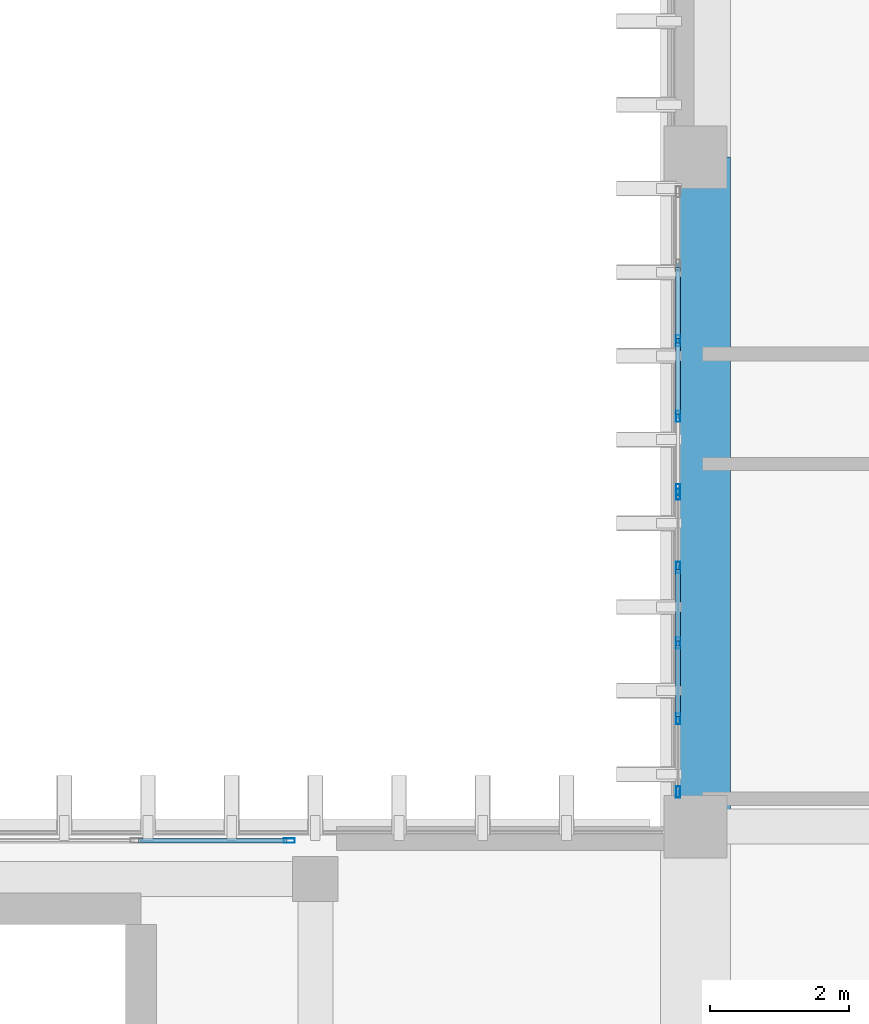
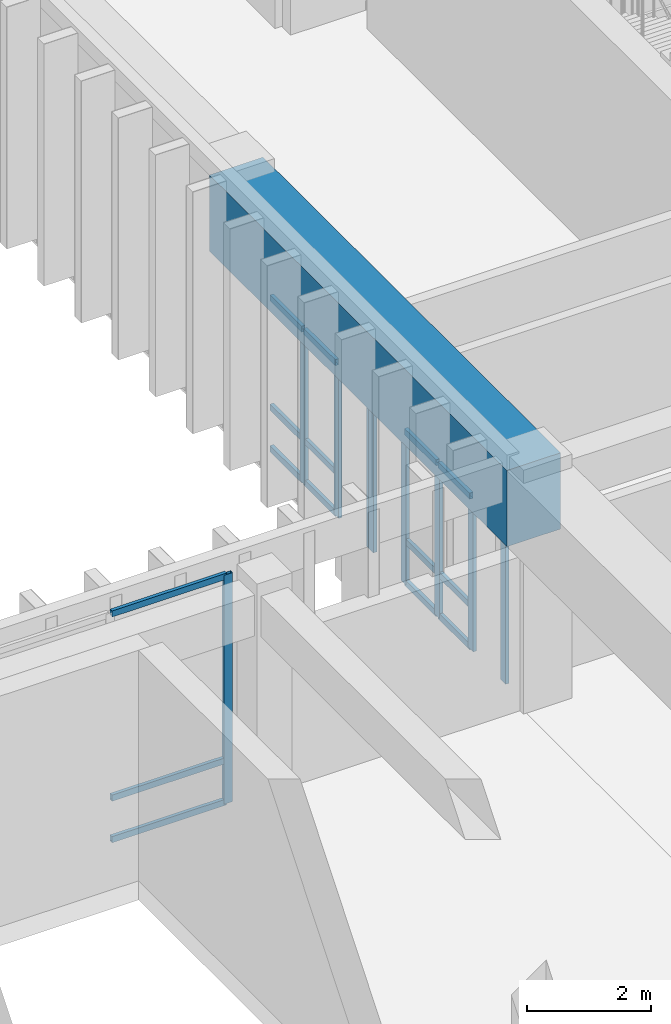
# One storey, part 51 of 101: 24 members, 1 beam, 3 elements without a shape of their own.
"""IFC4 building model written with IfcOpenShell, lengths in metres."""

from ifc_helpers import new_model, si_unit, direction, frame, origin, origin_2d, place, context, subcontext, project, spatial, rectangle, hollow_rectangle, extrude, material, layer, layer_set, material_profile, profile_set, type_object, element, aggregate, save


model = new_model("IFC4")

# Units and contexts
model_context = context("Model", 3, precision=1e-05, world=origin(), true_north=direction((0.0, 1.0)))
body_context = subcontext(model_context, "Body", "Model", "MODEL_VIEW")
ifc_project = project(units=[si_unit("LENGTHUNIT", "METRE"), si_unit("AREAUNIT", "SQUARE_METRE"), si_unit("VOLUMEUNIT", "CUBIC_METRE"), si_unit("PLANEANGLEUNIT", "RADIAN"), si_unit("MASSUNIT", "GRAM", prefix="KILO")], contexts=[model_context])

# Site, building, storey
site_placement = place(None, origin())
site = spatial("IfcSite", under=ifc_project, at=site_placement, CompositionType="ELEMENT")
building_placement = place(site_placement, origin())
building = spatial("IfcBuilding", under=site, at=building_placement, Name="Nakhvara Creek Congress Hotel", CompositionType="ELEMENT")
storey_placement = place(building_placement, frame((0.0, 0.0, 16.199951171875)))
storey = spatial("IfcBuildingStorey", under=building, at=storey_placement, Name="L03", CompositionType="ELEMENT", Elevation=16.199951171875)

# Beam
ifc_material_1 = material(Name="Concrete C50/60", Category="concrete")
ifc_material_profile_1 = material_profile(ifc_material_1, rectangle(XDim=1.0, YDim=1.5, at=origin_2d()), Name="RC-TG 1000x1500", Category="LoadBearing")
ifc_profile_set_1 = profile_set([ifc_material_profile_1], Name="Concrete C50/60")
beam_type = type_object("IfcBeamType", Name="BM-TG2-1500", PredefinedType="BEAM", material=ifc_profile_set_1)
beam_placement = place(storey_placement, frame((149.449951171875, 96.0, 3.7900390625), z_axis=(0.0, 1.0, 0.0), x_axis=(-1.0, 0.0, 0.0)))
element("IfcBeam", 1, at=beam_placement, inside=storey, type_object=beam_type, Name="Transfer Girder TG2-L03-1838", PredefinedType="BEAM", context=body_context, shape_type="SweptSolid", body=[
    extrude(rectangle(XDim=1.0, YDim=1.5, at=origin_2d()), origin(), (0.0, 0.0, 1.0), 9.60009765625),
])

# Curtain wall, member
ifc_material_2 = material(Name="Bronze-anodised aluminium AW-6063-T6 and double-silver low-E glass", Category="aluminium")
ifc_layer_1 = layer(ifc_material_2, 0.199951171875)
ifc_layer_set_1 = layer_set([ifc_layer_1], Name="Bronze-anodised aluminium AW-6063-T6 and double-silver low-E glass")
curtain_wall_type_1 = type_object("IfcCurtainWallType", Name="CW-POD-STICK", PredefinedType="NOTDEFINED", material=ifc_layer_set_1)
curtain_wall_1_placement = place(storey_placement, origin())
curtain_wall_1 = element("IfcCurtainWall", 2, at=curtain_wall_1_placement, inside=storey, type_object=curtain_wall_type_1, Name="Curtain Wall CW105", PredefinedType="NOTDEFINED")
ifc_material_3 = material(Name="Bronze-anodised aluminium AW-6063-T6", Category="aluminium")
ifc_material_profile_2 = material_profile(ifc_material_3, hollow_rectangle(XDim=0.06494140625, YDim=0.159912109375, WallThickness=0.00390625, at=origin_2d()), Name="ALU-MULL 65x160x4", Category="LoadBearing")
ifc_profile_set_2 = profile_set([ifc_material_profile_2], Name="Bronze-anodised aluminium AW-6063-T6")
member_type_1 = type_object("IfcMemberType", Name="CW-MULL-160", PredefinedType="MULLION", material=ifc_profile_set_2)
member_1_placement = place(storey_placement, frame((143.62744140625, 95.800048828125, 0.0), z_axis=(0.0, 0.0, 1.0), x_axis=(0.0, 1.0, 0.0)))
member_1 = element("IfcMember", 3, at=member_1_placement, type_object=member_type_1, Name="CW105 mullion 5", PredefinedType="MULLION", context=body_context, shape_type="SweptSolid", body=[
    extrude(hollow_rectangle(XDim=0.06494140625, YDim=0.159912109375, WallThickness=0.00390625, at=origin_2d()), origin(), (0.0, 0.0, 1.0), 4.510009765625),
])

# Curtain wall, members
ifc_layer_2 = layer(ifc_material_2, 0.199951171875)
ifc_layer_set_2 = layer_set([ifc_layer_2], Name="Bronze-anodised aluminium AW-6063-T6 and double-silver low-E glass")
curtain_wall_type_2 = type_object("IfcCurtainWallType", Name="CW-HTL-UNIT", PredefinedType="USERDEFINED", material=ifc_layer_set_2)
curtain_wall_2_placement = place(storey_placement, origin())
curtain_wall_2 = element("IfcCurtainWall", 4, at=curtain_wall_2_placement, inside=storey, type_object=curtain_wall_type_2, Name="Curtain Wall CW164", ObjectType="UNITISED", PredefinedType="USERDEFINED")
member_2_placement = place(storey_placement, frame((149.199951171875, 96.49755859375, 0.0), z_axis=(0.0, 0.0, 1.0), x_axis=(-1.0, 0.0, 0.0)))
member_2 = element("IfcMember", 5, at=member_2_placement, type_object=member_type_1, Name="CW164 mullion 1", PredefinedType="MULLION", context=body_context, shape_type="SweptSolid", body=[
    extrude(hollow_rectangle(XDim=0.06494140625, YDim=0.159912109375, WallThickness=0.00390625, at=origin_2d()), origin(), (0.0, 0.0, 1.0), 3.031982421875),
])
member_3_placement = place(storey_placement, frame((149.199951171875, 97.548828125, 0.0), z_axis=(0.0, 0.0, 1.0), x_axis=(-1.0, 0.0, 0.0)))
member_3 = element("IfcMember", 6, at=member_3_placement, type_object=member_type_1, Name="CW164 mullion 2", PredefinedType="MULLION", context=body_context, shape_type="SweptSolid", body=[
    extrude(hollow_rectangle(XDim=0.06494140625, YDim=0.159912109375, WallThickness=0.00390625, at=origin_2d()), origin(), (0.0, 0.0, 1.0), 3.031982421875),
])
member_4_placement = place(storey_placement, frame((149.199951171875, 98.632568359375, 0.0), z_axis=(0.0, 0.0, 1.0), x_axis=(-1.0, 0.0, 0.0)))
member_4 = element("IfcMember", 7, at=member_4_placement, type_object=member_type_1, Name="CW164 mullion 3", PredefinedType="MULLION", context=body_context, shape_type="SweptSolid", body=[
    extrude(hollow_rectangle(XDim=0.06494140625, YDim=0.159912109375, WallThickness=0.00390625, at=origin_2d()), origin(), (0.0, 0.0, 1.0), 3.031982421875),
])
member_5_placement = place(storey_placement, frame((149.199951171875, 99.71630859375, 0.0), z_axis=(0.0, 0.0, 1.0), x_axis=(-1.0, 0.0, 0.0)))
member_5 = element("IfcMember", 8, at=member_5_placement, type_object=member_type_1, Name="CW164 mullion 4", PredefinedType="MULLION", context=body_context, shape_type="SweptSolid", body=[
    extrude(hollow_rectangle(XDim=0.06494140625, YDim=0.159912109375, WallThickness=0.00390625, at=origin_2d()), origin(), (0.0, 0.0, 1.0), 3.031982421875),
])
member_6_placement = place(storey_placement, frame((149.199951171875, 100.767578125, 0.0), z_axis=(0.0, 0.0, 1.0), x_axis=(-1.0, 0.0, 0.0)))
member_6 = element("IfcMember", 9, at=member_6_placement, type_object=member_type_1, Name="CW164 mullion 5", PredefinedType="MULLION", context=body_context, shape_type="SweptSolid", body=[
    extrude(hollow_rectangle(XDim=0.06494140625, YDim=0.159912109375, WallThickness=0.00390625, at=origin_2d()), origin(), (0.0, 0.0, 1.0), 3.031982421875),
])

curtain_wall_3_placement = place(storey_placement, origin())
curtain_wall_3 = element("IfcCurtainWall", 10, at=curtain_wall_3_placement, inside=storey, type_object=curtain_wall_type_2, Name="Curtain Wall CW166", ObjectType="UNITISED", PredefinedType="USERDEFINED")
member_7_placement = place(storey_placement, frame((149.199951171875, 100.83251953125, 0.0), z_axis=(0.0, 0.0, 1.0), x_axis=(-1.0, 0.0, 0.0)))
member_7 = element("IfcMember", 11, at=member_7_placement, type_object=member_type_1, Name="CW166 mullion 1", PredefinedType="MULLION", context=body_context, shape_type="SweptSolid", body=[
    extrude(hollow_rectangle(XDim=0.06494140625, YDim=0.159912109375, WallThickness=0.00390625, at=origin_2d()), origin(), (0.0, 0.0, 1.0), 3.031982421875),
])
member_8_placement = place(storey_placement, frame((149.199951171875, 101.8837890625, 0.0), z_axis=(0.0, 0.0, 1.0), x_axis=(-1.0, 0.0, 0.0)))
member_8 = element("IfcMember", 12, at=member_8_placement, type_object=member_type_1, Name="CW166 mullion 2", PredefinedType="MULLION", context=body_context, shape_type="SweptSolid", body=[
    extrude(hollow_rectangle(XDim=0.06494140625, YDim=0.159912109375, WallThickness=0.00390625, at=origin_2d()), origin(), (0.0, 0.0, 1.0), 3.031982421875),
])
member_9_placement = place(storey_placement, frame((149.199951171875, 102.967529296875, 0.0), z_axis=(0.0, 0.0, 1.0), x_axis=(-1.0, 0.0, 0.0)))
member_9 = element("IfcMember", 13, at=member_9_placement, type_object=member_type_1, Name="CW166 mullion 3", PredefinedType="MULLION", context=body_context, shape_type="SweptSolid", body=[
    extrude(hollow_rectangle(XDim=0.06494140625, YDim=0.159912109375, WallThickness=0.00390625, at=origin_2d()), origin(), (0.0, 0.0, 1.0), 3.031982421875),
])

# Member
ifc_material_profile_3 = material_profile(ifc_material_3, hollow_rectangle(XDim=0.06494140625, YDim=0.1201171875, WallThickness=0.00390625, at=origin_2d()), Name="ALU-TRAN 65x120x4", Category="LoadBearing")
ifc_profile_set_3 = profile_set([ifc_material_profile_3], Name="Bronze-anodised aluminium AW-6063-T6")
member_type_2 = type_object("IfcMemberType", Name="CW-TRAN-120", PredefinedType="USERDEFINED", material=ifc_profile_set_3)
member_10_placement = place(storey_placement, frame((141.46240234375, 95.800048828125, 0.032470703125), z_axis=(1.0, 0.0, 0.0), x_axis=(0.0, 1.0, 0.0)))
member_10 = element("IfcMember", 14, at=member_10_placement, type_object=member_type_2, Name="CW105 transom 4.1", ObjectType="TRANSOM", PredefinedType="USERDEFINED", context=body_context, shape_type="SweptSolid", body=[
    extrude(hollow_rectangle(XDim=0.06494140625, YDim=0.1201171875, WallThickness=0.00390625, at=origin_2d()), origin(), (0.0, 0.0, 1.0), 2.132568359375),
])

member_11_placement = place(storey_placement, frame((141.46240234375, 95.800048828125, 0.85009765625), z_axis=(1.0, 0.0, 0.0), x_axis=(0.0, 1.0, 0.0)))
member_11 = element("IfcMember", 15, at=member_11_placement, type_object=member_type_2, Name="CW105 transom 4.2", ObjectType="TRANSOM", PredefinedType="USERDEFINED", context=body_context, shape_type="SweptSolid", body=[
    extrude(hollow_rectangle(XDim=0.06494140625, YDim=0.1201171875, WallThickness=0.00390625, at=origin_2d()), origin(), (0.0, 0.0, 1.0), 2.132568359375),
])

member_12_placement = place(storey_placement, frame((141.46240234375, 95.800048828125, 4.4775390625), z_axis=(1.0, 0.0, 0.0), x_axis=(0.0, 1.0, 0.0)))
member_12 = element("IfcMember", 16, at=member_12_placement, type_object=member_type_2, Name="CW105 transom 4.3", ObjectType="TRANSOM", PredefinedType="USERDEFINED", context=body_context, shape_type="SweptSolid", body=[
    extrude(hollow_rectangle(XDim=0.06494140625, YDim=0.1201171875, WallThickness=0.00390625, at=origin_2d()), origin(), (0.0, 0.0, 1.0), 2.132568359375),
])

aggregate(curtain_wall_1, [member_1, member_10, member_11, member_12])

member_13_placement = place(storey_placement, frame((149.199951171875, 97.581298828125, 0.032470703125), z_axis=(0.0, 1.0, 0.0), x_axis=(-1.0, 0.0, 0.0)))
member_13 = element("IfcMember", 17, at=member_13_placement, type_object=member_type_2, Name="CW164 transom 2.1", ObjectType="TRANSOM", PredefinedType="USERDEFINED", context=body_context, shape_type="SweptSolid", body=[
    extrude(hollow_rectangle(XDim=0.06494140625, YDim=0.1201171875, WallThickness=0.00390625, at=origin_2d()), origin(), (0.0, 0.0, 1.0), 1.018798828125),
])

member_14_placement = place(storey_placement, frame((149.199951171875, 97.581298828125, 0.85009765625), z_axis=(0.0, 1.0, 0.0), x_axis=(-1.0, 0.0, 0.0)))
member_14 = element("IfcMember", 18, at=member_14_placement, type_object=member_type_2, Name="CW164 transom 2.2", ObjectType="TRANSOM", PredefinedType="USERDEFINED", context=body_context, shape_type="SweptSolid", body=[
    extrude(hollow_rectangle(XDim=0.06494140625, YDim=0.1201171875, WallThickness=0.00390625, at=origin_2d()), origin(), (0.0, 0.0, 1.0), 1.018798828125),
])

member_15_placement = place(storey_placement, frame((149.199951171875, 97.581298828125, 2.99951171875), z_axis=(0.0, 1.0, 0.0), x_axis=(-1.0, 0.0, 0.0)))
member_15 = element("IfcMember", 19, at=member_15_placement, type_object=member_type_2, Name="CW164 transom 2.3", ObjectType="TRANSOM", PredefinedType="USERDEFINED", context=body_context, shape_type="SweptSolid", body=[
    extrude(hollow_rectangle(XDim=0.06494140625, YDim=0.1201171875, WallThickness=0.00390625, at=origin_2d()), origin(), (0.0, 0.0, 1.0), 1.018798828125),
])

member_16_placement = place(storey_placement, frame((149.199951171875, 98.6650390625, 0.032470703125), z_axis=(0.0, 1.0, 0.0), x_axis=(-1.0, 0.0, 0.0)))
member_16 = element("IfcMember", 20, at=member_16_placement, type_object=member_type_2, Name="CW164 transom 3.1", ObjectType="TRANSOM", PredefinedType="USERDEFINED", context=body_context, shape_type="SweptSolid", body=[
    extrude(hollow_rectangle(XDim=0.06494140625, YDim=0.1201171875, WallThickness=0.00390625, at=origin_2d()), origin(), (0.0, 0.0, 1.0), 1.018798828125),
])

member_17_placement = place(storey_placement, frame((149.199951171875, 98.6650390625, 0.85009765625), z_axis=(0.0, 1.0, 0.0), x_axis=(-1.0, 0.0, 0.0)))
member_17 = element("IfcMember", 21, at=member_17_placement, type_object=member_type_2, Name="CW164 transom 3.2", ObjectType="TRANSOM", PredefinedType="USERDEFINED", context=body_context, shape_type="SweptSolid", body=[
    extrude(hollow_rectangle(XDim=0.06494140625, YDim=0.1201171875, WallThickness=0.00390625, at=origin_2d()), origin(), (0.0, 0.0, 1.0), 1.018798828125),
])

member_18_placement = place(storey_placement, frame((149.199951171875, 98.6650390625, 2.99951171875), z_axis=(0.0, 1.0, 0.0), x_axis=(-1.0, 0.0, 0.0)))
member_18 = element("IfcMember", 22, at=member_18_placement, type_object=member_type_2, Name="CW164 transom 3.3", ObjectType="TRANSOM", PredefinedType="USERDEFINED", context=body_context, shape_type="SweptSolid", body=[
    extrude(hollow_rectangle(XDim=0.06494140625, YDim=0.1201171875, WallThickness=0.00390625, at=origin_2d()), origin(), (0.0, 0.0, 1.0), 1.018798828125),
])

aggregate(curtain_wall_2, [member_2, member_3, member_4, member_5, member_6, member_13, member_14, member_15, member_16, member_17, member_18])

member_19_placement = place(storey_placement, frame((149.199951171875, 101.916259765625, 0.032470703125), z_axis=(0.0, 1.0, 0.0), x_axis=(-1.0, 0.0, 0.0)))
member_19 = element("IfcMember", 23, at=member_19_placement, type_object=member_type_2, Name="CW166 transom 2.1", ObjectType="TRANSOM", PredefinedType="USERDEFINED", context=body_context, shape_type="SweptSolid", body=[
    extrude(hollow_rectangle(XDim=0.06494140625, YDim=0.1201171875, WallThickness=0.00390625, at=origin_2d()), origin(), (0.0, 0.0, 1.0), 1.018798828125),
])

member_20_placement = place(storey_placement, frame((149.199951171875, 101.916259765625, 0.85009765625), z_axis=(0.0, 1.0, 0.0), x_axis=(-1.0, 0.0, 0.0)))
member_20 = element("IfcMember", 24, at=member_20_placement, type_object=member_type_2, Name="CW166 transom 2.2", ObjectType="TRANSOM", PredefinedType="USERDEFINED", context=body_context, shape_type="SweptSolid", body=[
    extrude(hollow_rectangle(XDim=0.06494140625, YDim=0.1201171875, WallThickness=0.00390625, at=origin_2d()), origin(), (0.0, 0.0, 1.0), 1.018798828125),
])

member_21_placement = place(storey_placement, frame((149.199951171875, 101.916259765625, 2.99951171875), z_axis=(0.0, 1.0, 0.0), x_axis=(-1.0, 0.0, 0.0)))
member_21 = element("IfcMember", 25, at=member_21_placement, type_object=member_type_2, Name="CW166 transom 2.3", ObjectType="TRANSOM", PredefinedType="USERDEFINED", context=body_context, shape_type="SweptSolid", body=[
    extrude(hollow_rectangle(XDim=0.06494140625, YDim=0.1201171875, WallThickness=0.00390625, at=origin_2d()), origin(), (0.0, 0.0, 1.0), 1.018798828125),
])

member_22_placement = place(storey_placement, frame((149.199951171875, 103.0, 0.032470703125), z_axis=(0.0, 1.0, 0.0), x_axis=(-1.0, 0.0, 0.0)))
member_22 = element("IfcMember", 26, at=member_22_placement, type_object=member_type_2, Name="CW166 transom 3.1", ObjectType="TRANSOM", PredefinedType="USERDEFINED", context=body_context, shape_type="SweptSolid", body=[
    extrude(hollow_rectangle(XDim=0.06494140625, YDim=0.1201171875, WallThickness=0.00390625, at=origin_2d()), origin(), (0.0, 0.0, 1.0), 1.018798828125),
])

member_23_placement = place(storey_placement, frame((149.199951171875, 103.0, 0.85009765625), z_axis=(0.0, 1.0, 0.0), x_axis=(-1.0, 0.0, 0.0)))
member_23 = element("IfcMember", 27, at=member_23_placement, type_object=member_type_2, Name="CW166 transom 3.2", ObjectType="TRANSOM", PredefinedType="USERDEFINED", context=body_context, shape_type="SweptSolid", body=[
    extrude(hollow_rectangle(XDim=0.06494140625, YDim=0.1201171875, WallThickness=0.00390625, at=origin_2d()), origin(), (0.0, 0.0, 1.0), 1.018798828125),
])

member_24_placement = place(storey_placement, frame((149.199951171875, 103.0, 2.99951171875), z_axis=(0.0, 1.0, 0.0), x_axis=(-1.0, 0.0, 0.0)))
member_24 = element("IfcMember", 28, at=member_24_placement, type_object=member_type_2, Name="CW166 transom 3.3", ObjectType="TRANSOM", PredefinedType="USERDEFINED", context=body_context, shape_type="SweptSolid", body=[
    extrude(hollow_rectangle(XDim=0.06494140625, YDim=0.1201171875, WallThickness=0.00390625, at=origin_2d()), origin(), (0.0, 0.0, 1.0), 1.018798828125),
])

aggregate(curtain_wall_3, [member_7, member_8, member_9, member_19, member_20, member_21, member_22, member_23, member_24])

save(model, "model.ifc")
